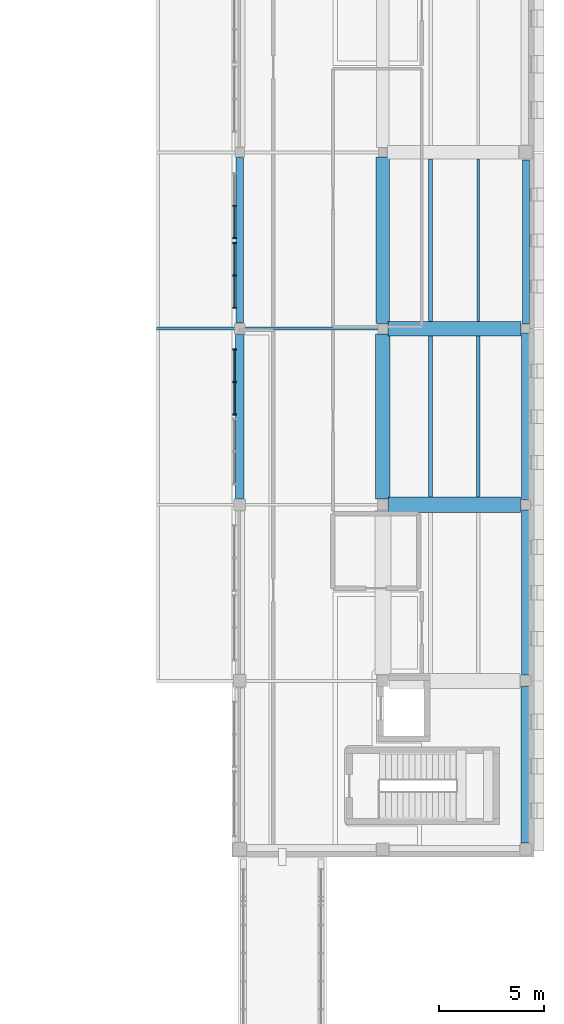
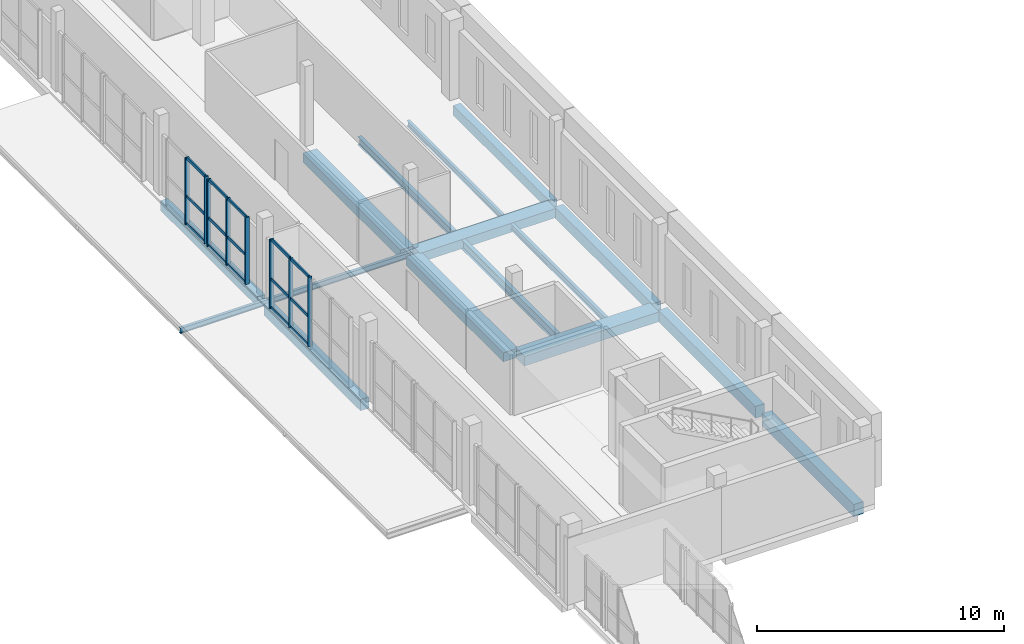
# One storey, part 34 of 76: 23 members, 15 beams, 3 elements without a shape of their own.
"""IFC4 building model written with IfcOpenShell, lengths in metres."""

import ifcopenshell
import ifcopenshell.guid

model = None  # the IFC model being written
_history = None  # IfcOwnerHistory: only IFC2X3 demands one
_inside = {}  # id of a spatial element -> (the spatial element, [elements in it])
_under = {}  # id of a project, library or spatial element -> (it, [spatial elements below it])
_declared = {}  # id of a project -> (the project, [libraries it declares])
_typed = {}  # id of a type object -> (the type object, [elements of that type])
_made_of = {}  # id of a material, layer set ... -> (it, [elements and type objects made of it])


def new_model(schema):
    """Start an empty IFC model of exactly this schema.

    Asked for "IFC4X3", IfcOpenShell would pick the latest addendum, in which some entities
    have other attributes; the version numbers below select the first issue.
    IFC2X3 requires an IfcOwnerHistory on every rooted entity: one is made here for all.
    """
    global model, _history
    if schema == "IFC4X3":
        model = ifcopenshell.file(schema_version=(4, 3, 0, 0))
    else:
        model = ifcopenshell.file(schema=schema)
    _inside.clear()
    _under.clear()
    _declared.clear()
    _typed.clear()
    _made_of.clear()
    _history = None
    if model.schema == "IFC2X3":
        org = make("IfcOrganization", Name="unknown")
        user = make(
            "IfcPersonAndOrganization",
            ThePerson=make("IfcPerson", FamilyName="unknown"),
            TheOrganization=org,
        )
        app = make(
            "IfcApplication",
            ApplicationDeveloper=org,
            Version="unknown",
            ApplicationFullName="unknown",
            ApplicationIdentifier="unknown",
        )
        _history = make(
            "IfcOwnerHistory",
            OwningUser=user,
            OwningApplication=app,
            ChangeAction="ADDED",
            CreationDate=0,
        )
    return model


def make(cls, **values):
    """One entity of the class cls with the attributes given. An attribute that is None is left unset."""
    return model.create_entity(
        cls, **{name: value for name, value in values.items() if value is not None}
    )


def rooted(cls, **values):
    """An entity with a GlobalId (a new one), such as an element, a storey or a relation."""
    return make(cls, GlobalId=ifcopenshell.guid.new(), OwnerHistory=_history, **values)


def si_unit(unit_type, name, prefix=None):
    """IfcSIUnit, for example si_unit("LENGTHUNIT", "METRE", prefix="MILLI")."""
    return make("IfcSIUnit", UnitType=unit_type, Prefix=prefix, Name=name)


def assignment(units):
    """IfcUnitAssignment: the units of a project."""
    return None if units is None else make("IfcUnitAssignment", Units=units)


def point(xyz):
    """IfcCartesianPoint."""
    return None if xyz is None else make("IfcCartesianPoint", Coordinates=xyz)


def direction(xyz):
    """IfcDirection."""
    return None if xyz is None else make("IfcDirection", DirectionRatios=xyz)


def frame(location, z_axis=None, x_axis=None):
    """IfcAxis2Placement3D, a coordinate frame: its origin and axes. An axis left out is left unset."""
    return make(
        "IfcAxis2Placement3D",
        Location=point(location),
        Axis=direction(z_axis),
        RefDirection=direction(x_axis),
    )


def frame_2d(location, x_axis=None):
    """IfcAxis2Placement2D, a coordinate frame in the plane: its origin and x axis."""
    return make(
        "IfcAxis2Placement2D", Location=point(location), RefDirection=direction(x_axis)
    )


def origin():
    """The frame at (0, 0, 0) with its axes left unset."""
    return frame((0.0, 0.0, 0.0))


def origin_2d():
    """The frame at (0, 0) in the plane with its x axis left unset."""
    return frame_2d((0.0, 0.0))


def place(relative_to, where):
    """IfcLocalPlacement: puts the frame where relative to a parent placement (None: the world)."""
    return make(
        "IfcLocalPlacement", PlacementRelTo=relative_to, RelativePlacement=where
    )


def context(
    kind, dimensions, precision=None, world=None, true_north=None, identifier=None
):
    """IfcGeometricRepresentationContext, for example the 3D "Model" context."""
    return make(
        "IfcGeometricRepresentationContext",
        ContextIdentifier=identifier,
        ContextType=kind,
        CoordinateSpaceDimension=dimensions,
        Precision=precision,
        WorldCoordinateSystem=world,
        TrueNorth=true_north,
    )


def subcontext(parent, identifier, kind, view, scale=None):
    """IfcGeometricRepresentationSubContext, for example "Body" below "Model"."""
    return make(
        "IfcGeometricRepresentationSubContext",
        ContextIdentifier=identifier,
        ContextType=kind,
        ParentContext=parent,
        TargetScale=scale,
        TargetView=view,
    )


def project(units=None, contexts=None):
    """IfcProject with its units and contexts."""
    return rooted(
        "IfcProject",
        Name="project",
        RepresentationContexts=contexts,
        UnitsInContext=assignment(units),
    )


def spatial(cls, under=None, at=None, **own):
    """A site, building, storey or space (cls), placed at a placement, below another one or the project."""
    s = rooted(cls, ObjectPlacement=at, **own)
    if under is not None:
        _under.setdefault(under.id(), (under, []))[1].append(s)
    return s


def profile(cls, at=None, kind="AREA", **sizes):
    """A parametric profile (cls). Its sizes go by their IFC names, for example OverallWidth=200.0."""
    return make(cls, ProfileType=kind, Position=at, **sizes)


def rectangle(**sizes):
    """IfcRectangleProfileDef."""
    return profile("IfcRectangleProfileDef", **sizes)


def i_section(**sizes):
    """IfcIShapeProfileDef."""
    return profile("IfcIShapeProfileDef", **sizes)


def extrude(swept, where, along, depth):
    """IfcExtrudedAreaSolid: the profile swept, set in the frame where, extruded along a direction by depth."""
    return make(
        "IfcExtrudedAreaSolid",
        SweptArea=swept,
        Position=where,
        ExtrudedDirection=direction(along),
        Depth=depth,
    )


def shape(context_of_items, identifier, shape_type, items):
    """IfcShapeRepresentation: the items that make up one representation, for example the "Body"."""
    return make(
        "IfcShapeRepresentation",
        ContextOfItems=context_of_items,
        RepresentationIdentifier=identifier,
        RepresentationType=shape_type,
        Items=items,
    )


def material(Name=None, Category=None):
    """IfcMaterial."""
    return make("IfcMaterial", Name=Name, Category=Category)


def layer(
    of_material, thickness, ventilated=None, Name=None, Category=None, Priority=None
):
    """IfcMaterialLayer: one layer of a wall or slab, of a material (None: an air gap)."""
    return make(
        "IfcMaterialLayer",
        Material=of_material,
        LayerThickness=thickness,
        IsVentilated=ventilated,
        Name=Name,
        Category=Category,
        Priority=Priority,
    )


def layer_set(layers, Name=None):
    """IfcMaterialLayerSet."""
    return make("IfcMaterialLayerSet", MaterialLayers=layers, LayerSetName=Name)


def material_profile(
    of_material, cross_section, Name=None, Category=None, Priority=None
):
    """IfcMaterialProfile: a cross section and its material."""
    return make(
        "IfcMaterialProfile",
        Name=Name,
        Material=of_material,
        Profile=cross_section,
        Priority=Priority,
        Category=Category,
    )


def profile_set(profiles, Name=None, composite=None):
    """IfcMaterialProfileSet."""
    return make(
        "IfcMaterialProfileSet",
        Name=Name,
        MaterialProfiles=profiles,
        CompositeProfile=composite,
    )


def made_of(thing, what):
    """Note that an element or type object is made of a material, layer set ...; save() writes the relation."""
    if what is not None:
        _made_of.setdefault(what.id(), (what, []))[1].append(thing)
    return thing


def type_object(cls, material=None, **own):
    """A type object (cls), such as IfcWallType, which elements share."""
    return made_of(rooted(cls, **own), material)


def element(
    cls,
    number,
    at=None,
    inside=None,
    cuts=None,
    type_object=None,
    material=None,
    context=None,
    identifier="Body",
    shape_type=None,
    held_by="IfcProductDefinitionShape",
    body=None,
    shapes=None,
    **own,
):
    """One element of the class cls, such as IfcWall. Its Tag is "e" and its number.

    at: its placement. inside: the storey or other place that contains it. cuts: it is an
    opening in that element (IfcRelVoidsElement). A single representation is given by context,
    identifier, shape_type and body (its items); several are given by shapes. held_by: the class
    of the entity that holds the representations. save() writes the other relations.
    """
    e = rooted(cls, Tag="e%d" % number, ObjectPlacement=at, **own)
    if body is not None:
        shapes = [shape(context, identifier, shape_type, body)]
    if shapes is not None:
        e.Representation = make(held_by, Representations=shapes)
    if inside is not None:
        _inside.setdefault(inside.id(), (inside, []))[1].append(e)
    if cuts is not None:
        rooted(
            "IfcRelVoidsElement", RelatingBuildingElement=cuts, RelatedOpeningElement=e
        )
    if type_object is not None:
        _typed.setdefault(type_object.id(), (type_object, []))[1].append(e)
    return made_of(e, material)


def aggregate(whole, parts):
    """IfcRelAggregates: a whole, such as a stair, and the parts it consists of."""
    return rooted("IfcRelAggregates", RelatingObject=whole, RelatedObjects=parts)


def save(model, path):
    """Write the relations noted so far, then the file.

    IfcRelAggregates (storeys below a building ...), IfcRelContainedInSpatialStructure (elements
    in a storey), IfcRelDefinesByType, IfcRelAssociatesMaterial and IfcRelDeclares: one each for
    every whole, place, type object, material and project.
    """
    for whole, parts in _under.values():
        aggregate(whole, parts)
    for where, things in _inside.values():
        rooted(
            "IfcRelContainedInSpatialStructure",
            RelatedElements=things,
            RelatingStructure=where,
        )
    for kind, things in _typed.values():
        rooted("IfcRelDefinesByType", RelatedObjects=things, RelatingType=kind)
    for what, things in _made_of.values():
        rooted("IfcRelAssociatesMaterial", RelatedObjects=things, RelatingMaterial=what)
    for by, libraries in _declared.values():
        rooted("IfcRelDeclares", RelatingContext=by, RelatedDefinitions=libraries)
    model.write(path)


model = new_model("IFC4")

# Units and contexts
model_context = context("Model", 3, precision=1e-05, world=origin(), true_north=direction((0.0, 1.0)))
body_context = subcontext(model_context, "Body", "Model", "MODEL_VIEW")
ifc_project = project(units=[si_unit("LENGTHUNIT", "METRE"), si_unit("AREAUNIT", "SQUARE_METRE"), si_unit("VOLUMEUNIT", "CUBIC_METRE"), si_unit("PLANEANGLEUNIT", "RADIAN"), si_unit("MASSUNIT", "GRAM", prefix="KILO")], contexts=[model_context])

# Site, building, storey
site_placement = place(None, origin())
site = spatial("IfcSite", under=ifc_project, at=site_placement, CompositionType="ELEMENT")
building_placement = place(site_placement, origin())
building = spatial("IfcBuilding", under=site, at=building_placement, Name="Vardoun Plaza Health Centre", CompositionType="ELEMENT")
storey_placement = place(building_placement, frame((0.0, 0.0, 4.5)))
storey = spatial("IfcBuildingStorey", under=building, at=storey_placement, Name="L01", CompositionType="ELEMENT", Elevation=4.5)

# Beams
ifc_material_1 = material(Name="Concrete C35/45", Category="concrete")
ifc_material_profile_1 = material_profile(ifc_material_1, rectangle(XDim=0.35009765625, YDim=0.5, at=origin_2d()), Name="RC-BM 350x500")
ifc_profile_set_1 = profile_set([ifc_material_profile_1], Name="Concrete C35/45")
beam_type_1 = type_object("IfcBeamType", Name="B-08", PredefinedType="SPANDREL", material=ifc_profile_set_1)
beam_1_placement = place(storey_placement, frame((151.280029296875, 61.775146484375, -0.5), z_axis=(0.0, 1.0, 0.0), x_axis=(-1.0, 0.0, 0.0)))
element("IfcBeam", 1, at=beam_1_placement, inside=storey, type_object=beam_type_1, Name="V6 L01 Beam B-V6-L01-Y13", PredefinedType="SPANDREL", context=body_context, shape_type="SweptSolid", body=[
    extrude(rectangle(XDim=0.35009765625, YDim=0.5, at=origin_2d()), origin(), (0.0, 0.0, 1.0), 7.875),
])
beam_2_placement = place(storey_placement, frame((164.919921875, 61.72509765625, -0.5), z_axis=(0.0, 1.0, 0.0), x_axis=(-1.0, 0.0, 0.0)))
element("IfcBeam", 2, at=beam_2_placement, inside=storey, type_object=beam_type_1, Name="V6 L01 Beam B-V6-L01-Y23", PredefinedType="SPANDREL", context=body_context, shape_type="SweptSolid", body=[
    extrude(rectangle(XDim=0.35009765625, YDim=0.5, at=origin_2d()), origin(), (0.0, 0.0, 1.0), 7.824951171875),
])
ifc_material_2 = material(Name="Concrete C35/45", Category="concrete")
ifc_material_profile_2 = material_profile(ifc_material_2, rectangle(XDim=0.39990234375, YDim=0.550048828125, at=origin_2d()), Name="RC-BM 400x550")
ifc_profile_set_2 = profile_set([ifc_material_profile_2], Name="Concrete C35/45")
beam_type_2 = type_object("IfcBeamType", Name="B-09", PredefinedType="SPANDREL", material=ifc_profile_set_2)
beam_3_placement = place(storey_placement, frame((151.280029296875, 53.400146484375, -0.52490234375), z_axis=(0.0, 1.0, 0.0), x_axis=(-1.0, 0.0, 0.0)))
element("IfcBeam", 3, at=beam_3_placement, inside=storey, type_object=beam_type_2, Name="V6 L01 Beam B-V6-L01-Y12", PredefinedType="SPANDREL", context=body_context, shape_type="SweptSolid", body=[
    extrude(rectangle(XDim=0.39990234375, YDim=0.550048828125, at=origin_2d()), origin(), (0.0, 0.0, 1.0), 7.824951171875),
])
beam_4_placement = place(storey_placement, frame((164.919921875, 53.35009765625, -0.52490234375), z_axis=(0.0, 1.0, 0.0), x_axis=(-1.0, 0.0, 0.0)))
element("IfcBeam", 4, at=beam_4_placement, inside=storey, type_object=beam_type_2, Name="V6 L01 Beam B-V6-L01-Y22", PredefinedType="SPANDREL", context=body_context, shape_type="SweptSolid", body=[
    extrude(rectangle(XDim=0.39990234375, YDim=0.550048828125, at=origin_2d()), origin(), (0.0, 0.0, 1.0), 7.925048828125),
])
ifc_material_3 = material(Name="Concrete C35/45", Category="concrete")
ifc_material_profile_3 = material_profile(ifc_material_3, rectangle(XDim=0.419921875, YDim=0.580078125, at=origin_2d()), Name="RC-BM 420x580")
ifc_profile_set_3 = profile_set([ifc_material_profile_3], Name="Concrete C35/45")
beam_type_3 = type_object("IfcBeamType", Name="B-10", PredefinedType="SPANDREL", material=ifc_profile_set_3)
beam_5_placement = place(storey_placement, frame((164.919921875, 44.97509765625, -0.5400390625), z_axis=(0.0, 1.0, 0.0), x_axis=(-1.0, 0.0, 0.0)))
element("IfcBeam", 5, at=beam_5_placement, inside=storey, type_object=beam_type_3, Name="V6 L01 Beam B-V6-L01-Y21", PredefinedType="SPANDREL", context=body_context, shape_type="SweptSolid", body=[
    extrude(rectangle(XDim=0.419921875, YDim=0.580078125, at=origin_2d()), origin(), (0.0, 0.0, 1.0), 7.875),
])
ifc_material_4 = material(Name="Concrete C35/45", Category="concrete")
ifc_material_profile_4 = material_profile(ifc_material_4, rectangle(XDim=0.449951171875, YDim=0.60009765625, at=origin_2d()), Name="RC-BM 450x600")
ifc_profile_set_4 = profile_set([ifc_material_profile_4], Name="Concrete C35/45")
beam_type_4 = type_object("IfcBeamType", Name="B-11", PredefinedType="SPANDREL", material=ifc_profile_set_4)
beam_6_placement = place(storey_placement, frame((164.919921875, 36.97998046875, -0.550048828125), z_axis=(0.0, 1.0, 0.0), x_axis=(-1.0, 0.0, 0.0)))
element("IfcBeam", 6, at=beam_6_placement, inside=storey, type_object=beam_type_4, Name="V6 L01 Beam B-V6-L01-Y20", PredefinedType="SPANDREL", context=body_context, shape_type="SweptSolid", body=[
    extrude(rectangle(XDim=0.449951171875, YDim=0.60009765625, at=origin_2d()), origin(), (0.0, 0.0, 1.0), 7.445068359375),
])
ifc_material_5 = material(Name="Concrete C35/45", Category="concrete")
ifc_material_profile_5 = material_profile(ifc_material_5, rectangle(XDim=0.64990234375, YDim=0.449951171875, at=origin_2d()), Name="RC-BM 650x450")
ifc_profile_set_5 = profile_set([ifc_material_profile_5], Name="Concrete C35/45")
beam_type_5 = type_object("IfcBeamType", Name="B-05", PredefinedType="BEAM", material=ifc_profile_set_5)
beam_7_placement = place(storey_placement, frame((158.10009765625, 61.75, -0.47509765625), z_axis=(0.0, 1.0, 0.0), x_axis=(-1.0, 0.0, 0.0)))
element("IfcBeam", 7, at=beam_7_placement, inside=storey, type_object=beam_type_5, Name="V6 L01 Beam B-V6-L01-Y18", PredefinedType="BEAM", context=body_context, shape_type="SweptSolid", body=[
    extrude(rectangle(XDim=0.64990234375, YDim=0.449951171875, at=origin_2d()), origin(), (0.0, 0.0, 1.0), 7.925048828125),
])
ifc_material_6 = material(Name="Concrete C35/45", Category="concrete")
ifc_material_profile_6 = material_profile(ifc_material_6, rectangle(XDim=0.699951171875, YDim=0.449951171875, at=origin_2d()), Name="RC-BM 700x450")
ifc_profile_set_6 = profile_set([ifc_material_profile_6], Name="Concrete C35/45")
beam_type_6 = type_object("IfcBeamType", Name="B-06", PredefinedType="BEAM", material=ifc_profile_set_6)
beam_8_placement = place(storey_placement, frame((158.35009765625, 61.5, -0.47509765625), z_axis=(1.0, 0.0, 0.0), x_axis=(0.0, 1.0, 0.0)))
element("IfcBeam", 8, at=beam_8_placement, inside=storey, type_object=beam_type_6, Name="V6 L01 Beam B-V6-L01-X06", PredefinedType="BEAM", context=body_context, shape_type="SweptSolid", body=[
    extrude(rectangle(XDim=0.699951171875, YDim=0.449951171875, at=origin_2d()), origin(), (0.0, 0.0, 1.0), 6.344970703125),
])
beam_9_placement = place(storey_placement, frame((158.10009765625, 53.375, -0.47509765625), z_axis=(0.0, 1.0, 0.0), x_axis=(-1.0, 0.0, 0.0)))
element("IfcBeam", 9, at=beam_9_placement, inside=storey, type_object=beam_type_6, Name="V6 L01 Beam B-V6-L01-Y17", PredefinedType="BEAM", context=body_context, shape_type="SweptSolid", body=[
    extrude(rectangle(XDim=0.699951171875, YDim=0.449951171875, at=origin_2d()), origin(), (0.0, 0.0, 1.0), 7.875),
])
ifc_material_7 = material(Name="Concrete C35/45", Category="concrete")
ifc_material_profile_7 = material_profile(ifc_material_7, rectangle(XDim=0.75, YDim=0.47998046875, at=origin_2d()), Name="RC-BM 750x480")
ifc_profile_set_7 = profile_set([ifc_material_profile_7], Name="Concrete C35/45")
beam_type_7 = type_object("IfcBeamType", Name="B-07", PredefinedType="BEAM", material=ifc_profile_set_7)
beam_10_placement = place(storey_placement, frame((158.375, 53.10009765625, -0.489990234375), z_axis=(1.0, 0.0, 0.0), x_axis=(0.0, 1.0, 0.0)))
element("IfcBeam", 10, at=beam_10_placement, inside=storey, type_object=beam_type_7, Name="V6 L01 Beam B-V6-L01-X05", PredefinedType="BEAM", context=body_context, shape_type="SweptSolid", body=[
    extrude(rectangle(XDim=0.75, YDim=0.47998046875, at=origin_2d()), origin(), (0.0, 0.0, 1.0), 6.294921875),
])
ifc_material_8 = material(Name="Steel S355J2", Category="steel")
ifc_material_profile_8 = material_profile(ifc_material_8, i_section(OverallWidth=0.135009765625, OverallDepth=0.27001953125, WebThickness=0.006591796875, FlangeThickness=0.01025390625, FilletRadius=0.014892578125, at=origin_2d()), Name="IPE 270")
ifc_profile_set_8 = profile_set([ifc_material_profile_8], Name="Steel S355J2")
beam_type_8 = type_object("IfcBeamType", Name="SB-16", PredefinedType="JOIST", material=ifc_profile_set_8)
beam_11_placement = place(storey_placement, frame((162.64697265625, 61.85009765625, -0.385009765625), z_axis=(0.0, 1.0, 0.0), x_axis=(-1.0, 0.0, 0.0)))
element("IfcBeam", 11, at=beam_11_placement, inside=storey, type_object=beam_type_8, Name="V6 L01 Secondary Floor Beam SJ-V6-L01-07", PredefinedType="JOIST", context=body_context, shape_type="SweptSolid", body=[
    extrude(i_section(OverallWidth=0.135009765625, OverallDepth=0.27001953125, WebThickness=0.006591796875, FlangeThickness=0.01025390625, FilletRadius=0.014892578125, at=origin_2d()), origin(), (0.0, 0.0, 1.0), 7.724853515625),
])
beam_12_placement = place(storey_placement, frame((158.10009765625, 61.5, -0.39990234375), z_axis=(-1.0, 0.0, 0.0), x_axis=(0.0, -1.0, 0.0)))
element("IfcBeam", 12, at=beam_12_placement, inside=storey, type_object=beam_type_8, Name="Forecourt Canopy Continuous Girder 3", PredefinedType="JOIST", context=body_context, shape_type="SweptSolid", body=[
    extrude(i_section(OverallWidth=0.135009765625, OverallDepth=0.27001953125, WebThickness=0.006591796875, FlangeThickness=0.01025390625, FilletRadius=0.014892578125, at=origin_2d()), origin(), (0.0, 0.0, 1.0), 10.800048828125),
])
ifc_material_9 = material(Name="Steel S355J2", Category="steel")
ifc_material_profile_9 = material_profile(ifc_material_9, i_section(OverallWidth=0.14990234375, OverallDepth=0.300048828125, WebThickness=0.007080078125, FlangeThickness=0.0107421875, FilletRadius=0.014892578125, at=origin_2d()), Name="IPE 300")
ifc_profile_set_9 = profile_set([ifc_material_profile_9], Name="Steel S355J2")
beam_type_9 = type_object("IfcBeamType", Name="SB-15", PredefinedType="JOIST", material=ifc_profile_set_9)
beam_13_placement = place(storey_placement, frame((162.64697265625, 53.47509765625, -0.39990234375), z_axis=(0.0, 1.0, 0.0), x_axis=(-1.0, 0.0, 0.0)))
element("IfcBeam", 13, at=beam_13_placement, inside=storey, type_object=beam_type_9, Name="V6 L01 Secondary Floor Beam SJ-V6-L01-06", PredefinedType="JOIST", context=body_context, shape_type="SweptSolid", body=[
    extrude(i_section(OverallWidth=0.14990234375, OverallDepth=0.300048828125, WebThickness=0.007080078125, FlangeThickness=0.0107421875, FilletRadius=0.014892578125, at=origin_2d()), origin(), (0.0, 0.0, 1.0), 7.675048828125),
])
ifc_material_10 = material(Name="Steel S355J2", Category="steel")
ifc_material_profile_10 = material_profile(ifc_material_10, i_section(OverallWidth=0.179931640625, OverallDepth=0.39990234375, WebThickness=0.008544921875, FlangeThickness=0.013427734375, FilletRadius=0.02099609375, at=origin_2d()), Name="IPE 400")
ifc_profile_set_10 = profile_set([ifc_material_profile_10], Name="Steel S355J2")
beam_type_10 = type_object("IfcBeamType", Name="SB-12", PredefinedType="BEAM", material=ifc_profile_set_10)
beam_14_placement = place(storey_placement, frame((160.373046875, 61.85009765625, -0.449951171875), z_axis=(0.0, 1.0, 0.0), x_axis=(-1.0, 0.0, 0.0)))
element("IfcBeam", 14, at=beam_14_placement, inside=storey, type_object=beam_type_10, Name="V6 L01 Secondary Floor Beam SJ-V6-L01-03", PredefinedType="BEAM", context=body_context, shape_type="SweptSolid", body=[
    extrude(i_section(OverallWidth=0.179931640625, OverallDepth=0.39990234375, WebThickness=0.008544921875, FlangeThickness=0.013427734375, FilletRadius=0.02099609375, at=origin_2d()), origin(), (0.0, 0.0, 1.0), 7.724853515625),
])
ifc_material_11 = material(Name="Steel S355J2", Category="steel")
ifc_material_profile_11 = material_profile(ifc_material_11, i_section(OverallWidth=0.18994140625, OverallDepth=0.449951171875, WebThickness=0.009521484375, FlangeThickness=0.0146484375, FilletRadius=0.02099609375, at=origin_2d()), Name="IPE 450")
ifc_profile_set_11 = profile_set([ifc_material_profile_11], Name="Steel S355J2")
beam_type_11 = type_object("IfcBeamType", Name="SB-11", PredefinedType="BEAM", material=ifc_profile_set_11)
beam_15_placement = place(storey_placement, frame((160.373046875, 53.47509765625, -0.47509765625), z_axis=(0.0, 1.0, 0.0), x_axis=(-1.0, 0.0, 0.0)))
element("IfcBeam", 15, at=beam_15_placement, inside=storey, type_object=beam_type_11, Name="V6 L01 Secondary Floor Beam SJ-V6-L01-02", PredefinedType="BEAM", context=body_context, shape_type="SweptSolid", body=[
    extrude(i_section(OverallWidth=0.18994140625, OverallDepth=0.449951171875, WebThickness=0.009521484375, FlangeThickness=0.0146484375, FilletRadius=0.02099609375, at=origin_2d()), origin(), (0.0, 0.0, 1.0), 7.675048828125),
])

# Curtain wall, members
ifc_material_12 = material(Name="Aluminium Alloy EN AW-6063-T6 and Low-E Glass", Category="aluminium")
ifc_layer = layer(ifc_material_12, 0.179931640625)
ifc_layer_set = layer_set([ifc_layer], Name="Aluminium Alloy EN AW-6063-T6 and Low-E Glass")
curtain_wall_type = type_object("IfcCurtainWallType", Name="CW-01", PredefinedType="USERDEFINED", material=ifc_layer_set)
curtain_wall_1_placement = place(storey_placement, origin())
curtain_wall_1 = element("IfcCurtainWall", 16, at=curtain_wall_1_placement, inside=storey, type_object=curtain_wall_type, Name="Curtain Wall CW-V6-208", ObjectType="CONCOURSE_CURTAIN_WALL", PredefinedType="USERDEFINED")
ifc_material_13 = material(Name="Aluminium Alloy EN AW-6063-T6", Category="aluminium")
ifc_material_profile_12 = material_profile(ifc_material_13, rectangle(XDim=0.179931640625, YDim=0.06494140625, at=origin_2d()), Name="CWM 65x180")
ifc_profile_set_12 = profile_set([ifc_material_profile_12], Name="Aluminium Alloy EN AW-6063-T6")
member_type_1 = type_object("IfcMemberType", Name="CW-M2", PredefinedType="MULLION", material=ifc_profile_set_12)
member_1_placement = place(storey_placement, frame((151.02001953125, 57.41259765625, 0.0), z_axis=(0.0, 0.0, 1.0), x_axis=(-1.0, 0.0, 0.0)))
member_1 = element("IfcMember", 17, at=member_1_placement, type_object=member_type_1, Name="CW-V6-208 mullion 1", PredefinedType="MULLION", context=body_context, shape_type="SweptSolid", body=[
    extrude(rectangle(XDim=0.179931640625, YDim=0.06494140625, at=origin_2d()), origin(), (0.0, 0.0, 1.0), 3.43505859375),
])
member_2_placement = place(storey_placement, frame((151.02001953125, 58.9599609375, 0.0), z_axis=(0.0, 0.0, 1.0), x_axis=(-1.0, 0.0, 0.0)))
member_2 = element("IfcMember", 18, at=member_2_placement, type_object=member_type_1, Name="CW-V6-208 mullion 2", PredefinedType="MULLION", context=body_context, shape_type="SweptSolid", body=[
    extrude(rectangle(XDim=0.179931640625, YDim=0.06494140625, at=origin_2d()), origin(), (0.0, 0.0, 1.0), 3.43505859375),
])
member_3_placement = place(storey_placement, frame((151.02001953125, 60.507568359375, 0.0), z_axis=(0.0, 0.0, 1.0), x_axis=(-1.0, 0.0, 0.0)))
member_3 = element("IfcMember", 19, at=member_3_placement, type_object=member_type_1, Name="CW-V6-208 mullion 3", PredefinedType="MULLION", context=body_context, shape_type="SweptSolid", body=[
    extrude(rectangle(XDim=0.179931640625, YDim=0.06494140625, at=origin_2d()), origin(), (0.0, 0.0, 1.0), 3.43505859375),
])

curtain_wall_2_placement = place(storey_placement, origin())
curtain_wall_2 = element("IfcCurtainWall", 20, at=curtain_wall_2_placement, inside=storey, type_object=curtain_wall_type, Name="Curtain Wall CW-V6-209", ObjectType="CONCOURSE_CURTAIN_WALL", PredefinedType="USERDEFINED")
member_4_placement = place(storey_placement, frame((151.02001953125, 62.492431640625, 0.0), z_axis=(0.0, 0.0, 1.0), x_axis=(-1.0, 0.0, 0.0)))
member_4 = element("IfcMember", 21, at=member_4_placement, type_object=member_type_1, Name="CW-V6-209 mullion 1", PredefinedType="MULLION", context=body_context, shape_type="SweptSolid", body=[
    extrude(rectangle(XDim=0.179931640625, YDim=0.06494140625, at=origin_2d()), origin(), (0.0, 0.0, 1.0), 3.31494140625),
])
member_5_placement = place(storey_placement, frame((151.02001953125, 64.0400390625, 0.0), z_axis=(0.0, 0.0, 1.0), x_axis=(-1.0, 0.0, 0.0)))
member_5 = element("IfcMember", 22, at=member_5_placement, type_object=member_type_1, Name="CW-V6-209 mullion 2", PredefinedType="MULLION", context=body_context, shape_type="SweptSolid", body=[
    extrude(rectangle(XDim=0.179931640625, YDim=0.06494140625, at=origin_2d()), origin(), (0.0, 0.0, 1.0), 3.31494140625),
])
member_6_placement = place(storey_placement, frame((151.02001953125, 65.587646484375, 0.0), z_axis=(0.0, 0.0, 1.0), x_axis=(-1.0, 0.0, 0.0)))
member_6 = element("IfcMember", 23, at=member_6_placement, type_object=member_type_1, Name="CW-V6-209 mullion 3", PredefinedType="MULLION", context=body_context, shape_type="SweptSolid", body=[
    extrude(rectangle(XDim=0.179931640625, YDim=0.06494140625, at=origin_2d()), origin(), (0.0, 0.0, 1.0), 3.31494140625),
])

curtain_wall_3_placement = place(storey_placement, origin())
curtain_wall_3 = element("IfcCurtainWall", 24, at=curtain_wall_3_placement, inside=storey, type_object=curtain_wall_type, Name="Curtain Wall CW-V6-210", ObjectType="CONCOURSE_CURTAIN_WALL", PredefinedType="USERDEFINED")
member_7_placement = place(storey_placement, frame((151.02001953125, 65.8125, 0.0), z_axis=(0.0, 0.0, 1.0), x_axis=(-1.0, 0.0, 0.0)))
member_7 = element("IfcMember", 25, at=member_7_placement, type_object=member_type_1, Name="CW-V6-210 mullion 1", PredefinedType="MULLION", context=body_context, shape_type="SweptSolid", body=[
    extrude(rectangle(XDim=0.179931640625, YDim=0.06494140625, at=origin_2d()), origin(), (0.0, 0.0, 1.0), 3.31494140625),
])
member_8_placement = place(storey_placement, frame((151.02001953125, 67.360107421875, 0.0), z_axis=(0.0, 0.0, 1.0), x_axis=(-1.0, 0.0, 0.0)))
member_8 = element("IfcMember", 26, at=member_8_placement, type_object=member_type_1, Name="CW-V6-210 mullion 2", PredefinedType="MULLION", context=body_context, shape_type="SweptSolid", body=[
    extrude(rectangle(XDim=0.179931640625, YDim=0.06494140625, at=origin_2d()), origin(), (0.0, 0.0, 1.0), 3.31494140625),
])

# Member
ifc_material_14 = material(Name="Aluminium Alloy EN AW-6063-T6", Category="aluminium")
ifc_material_profile_13 = material_profile(ifc_material_14, rectangle(XDim=0.06494140625, YDim=0.139892578125, at=origin_2d()), Name="CWT 65x140")
ifc_profile_set_13 = profile_set([ifc_material_profile_13], Name="Aluminium Alloy EN AW-6063-T6")
member_type_2 = type_object("IfcMemberType", Name="CW-T2", PredefinedType="USERDEFINED", material=ifc_profile_set_13)
member_9_placement = place(storey_placement, frame((151.02001953125, 57.445068359375, 0.032470703125), z_axis=(0.0, 1.0, 0.0), x_axis=(-1.0, 0.0, 0.0)))
member_9 = element("IfcMember", 27, at=member_9_placement, type_object=member_type_2, Name="CW-V6-208 transom 1.1", ObjectType="TRANSOM", PredefinedType="USERDEFINED", context=body_context, shape_type="SweptSolid", body=[
    extrude(rectangle(XDim=0.06494140625, YDim=0.139892578125, at=origin_2d()), origin(), (0.0, 0.0, 1.0), 1.482421875),
])

member_10_placement = place(storey_placement, frame((151.02001953125, 57.445068359375, 1.442626953125), z_axis=(0.0, 1.0, 0.0), x_axis=(-1.0, 0.0, 0.0)))
member_10 = element("IfcMember", 28, at=member_10_placement, type_object=member_type_2, Name="CW-V6-208 transom 1.2", ObjectType="TRANSOM", PredefinedType="USERDEFINED", context=body_context, shape_type="SweptSolid", body=[
    extrude(rectangle(XDim=0.06494140625, YDim=0.139892578125, at=origin_2d()), origin(), (0.0, 0.0, 1.0), 1.482421875),
])

member_11_placement = place(storey_placement, frame((151.02001953125, 57.445068359375, 3.402587890625), z_axis=(0.0, 1.0, 0.0), x_axis=(-1.0, 0.0, 0.0)))
member_11 = element("IfcMember", 29, at=member_11_placement, type_object=member_type_2, Name="CW-V6-208 transom 1.3", ObjectType="TRANSOM", PredefinedType="USERDEFINED", context=body_context, shape_type="SweptSolid", body=[
    extrude(rectangle(XDim=0.06494140625, YDim=0.139892578125, at=origin_2d()), origin(), (0.0, 0.0, 1.0), 1.482421875),
])

member_12_placement = place(storey_placement, frame((151.02001953125, 58.992431640625, 0.032470703125), z_axis=(0.0, 1.0, 0.0), x_axis=(-1.0, 0.0, 0.0)))
member_12 = element("IfcMember", 30, at=member_12_placement, type_object=member_type_2, Name="CW-V6-208 transom 2.1", ObjectType="TRANSOM", PredefinedType="USERDEFINED", context=body_context, shape_type="SweptSolid", body=[
    extrude(rectangle(XDim=0.06494140625, YDim=0.139892578125, at=origin_2d()), origin(), (0.0, 0.0, 1.0), 1.482666015625),
])

member_13_placement = place(storey_placement, frame((151.02001953125, 58.992431640625, 1.442626953125), z_axis=(0.0, 1.0, 0.0), x_axis=(-1.0, 0.0, 0.0)))
member_13 = element("IfcMember", 31, at=member_13_placement, type_object=member_type_2, Name="CW-V6-208 transom 2.2", ObjectType="TRANSOM", PredefinedType="USERDEFINED", context=body_context, shape_type="SweptSolid", body=[
    extrude(rectangle(XDim=0.06494140625, YDim=0.139892578125, at=origin_2d()), origin(), (0.0, 0.0, 1.0), 1.482666015625),
])

member_14_placement = place(storey_placement, frame((151.02001953125, 58.992431640625, 3.402587890625), z_axis=(0.0, 1.0, 0.0), x_axis=(-1.0, 0.0, 0.0)))
member_14 = element("IfcMember", 32, at=member_14_placement, type_object=member_type_2, Name="CW-V6-208 transom 2.3", ObjectType="TRANSOM", PredefinedType="USERDEFINED", context=body_context, shape_type="SweptSolid", body=[
    extrude(rectangle(XDim=0.06494140625, YDim=0.139892578125, at=origin_2d()), origin(), (0.0, 0.0, 1.0), 1.482666015625),
])

aggregate(curtain_wall_1, [member_1, member_2, member_3, member_9, member_10, member_11, member_12, member_13, member_14])

member_15_placement = place(storey_placement, frame((151.02001953125, 62.525146484375, 0.032470703125), z_axis=(0.0, 1.0, 0.0), x_axis=(-1.0, 0.0, 0.0)))
member_15 = element("IfcMember", 33, at=member_15_placement, type_object=member_type_2, Name="CW-V6-209 transom 1.1", ObjectType="TRANSOM", PredefinedType="USERDEFINED", context=body_context, shape_type="SweptSolid", body=[
    extrude(rectangle(XDim=0.06494140625, YDim=0.139892578125, at=origin_2d()), origin(), (0.0, 0.0, 1.0), 1.482421875),
])

member_16_placement = place(storey_placement, frame((151.02001953125, 62.525146484375, 1.392333984375), z_axis=(0.0, 1.0, 0.0), x_axis=(-1.0, 0.0, 0.0)))
member_16 = element("IfcMember", 34, at=member_16_placement, type_object=member_type_2, Name="CW-V6-209 transom 1.2", ObjectType="TRANSOM", PredefinedType="USERDEFINED", context=body_context, shape_type="SweptSolid", body=[
    extrude(rectangle(XDim=0.06494140625, YDim=0.139892578125, at=origin_2d()), origin(), (0.0, 0.0, 1.0), 1.482421875),
])

member_17_placement = place(storey_placement, frame((151.02001953125, 62.525146484375, 3.282470703125), z_axis=(0.0, 1.0, 0.0), x_axis=(-1.0, 0.0, 0.0)))
member_17 = element("IfcMember", 35, at=member_17_placement, type_object=member_type_2, Name="CW-V6-209 transom 1.3", ObjectType="TRANSOM", PredefinedType="USERDEFINED", context=body_context, shape_type="SweptSolid", body=[
    extrude(rectangle(XDim=0.06494140625, YDim=0.139892578125, at=origin_2d()), origin(), (0.0, 0.0, 1.0), 1.482421875),
])

member_18_placement = place(storey_placement, frame((151.02001953125, 64.072509765625, 0.032470703125), z_axis=(0.0, 1.0, 0.0), x_axis=(-1.0, 0.0, 0.0)))
member_18 = element("IfcMember", 36, at=member_18_placement, type_object=member_type_2, Name="CW-V6-209 transom 2.1", ObjectType="TRANSOM", PredefinedType="USERDEFINED", context=body_context, shape_type="SweptSolid", body=[
    extrude(rectangle(XDim=0.06494140625, YDim=0.139892578125, at=origin_2d()), origin(), (0.0, 0.0, 1.0), 1.482421875),
])

member_19_placement = place(storey_placement, frame((151.02001953125, 64.072509765625, 1.392333984375), z_axis=(0.0, 1.0, 0.0), x_axis=(-1.0, 0.0, 0.0)))
member_19 = element("IfcMember", 37, at=member_19_placement, type_object=member_type_2, Name="CW-V6-209 transom 2.2", ObjectType="TRANSOM", PredefinedType="USERDEFINED", context=body_context, shape_type="SweptSolid", body=[
    extrude(rectangle(XDim=0.06494140625, YDim=0.139892578125, at=origin_2d()), origin(), (0.0, 0.0, 1.0), 1.482421875),
])

member_20_placement = place(storey_placement, frame((151.02001953125, 64.072509765625, 3.282470703125), z_axis=(0.0, 1.0, 0.0), x_axis=(-1.0, 0.0, 0.0)))
member_20 = element("IfcMember", 38, at=member_20_placement, type_object=member_type_2, Name="CW-V6-209 transom 2.3", ObjectType="TRANSOM", PredefinedType="USERDEFINED", context=body_context, shape_type="SweptSolid", body=[
    extrude(rectangle(XDim=0.06494140625, YDim=0.139892578125, at=origin_2d()), origin(), (0.0, 0.0, 1.0), 1.482421875),
])

aggregate(curtain_wall_2, [member_4, member_5, member_6, member_15, member_16, member_17, member_18, member_19, member_20])

member_21_placement = place(storey_placement, frame((151.02001953125, 65.844970703125, 0.032470703125), z_axis=(0.0, 1.0, 0.0), x_axis=(-1.0, 0.0, 0.0)))
member_21 = element("IfcMember", 39, at=member_21_placement, type_object=member_type_2, Name="CW-V6-210 transom 1.1", ObjectType="TRANSOM", PredefinedType="USERDEFINED", context=body_context, shape_type="SweptSolid", body=[
    extrude(rectangle(XDim=0.06494140625, YDim=0.139892578125, at=origin_2d()), origin(), (0.0, 0.0, 1.0), 1.482421875),
])

member_22_placement = place(storey_placement, frame((151.02001953125, 65.844970703125, 1.392333984375), z_axis=(0.0, 1.0, 0.0), x_axis=(-1.0, 0.0, 0.0)))
member_22 = element("IfcMember", 40, at=member_22_placement, type_object=member_type_2, Name="CW-V6-210 transom 1.2", ObjectType="TRANSOM", PredefinedType="USERDEFINED", context=body_context, shape_type="SweptSolid", body=[
    extrude(rectangle(XDim=0.06494140625, YDim=0.139892578125, at=origin_2d()), origin(), (0.0, 0.0, 1.0), 1.482421875),
])

member_23_placement = place(storey_placement, frame((151.02001953125, 65.844970703125, 3.282470703125), z_axis=(0.0, 1.0, 0.0), x_axis=(-1.0, 0.0, 0.0)))
member_23 = element("IfcMember", 41, at=member_23_placement, type_object=member_type_2, Name="CW-V6-210 transom 1.3", ObjectType="TRANSOM", PredefinedType="USERDEFINED", context=body_context, shape_type="SweptSolid", body=[
    extrude(rectangle(XDim=0.06494140625, YDim=0.139892578125, at=origin_2d()), origin(), (0.0, 0.0, 1.0), 1.482421875),
])

aggregate(curtain_wall_3, [member_7, member_8, member_21, member_22, member_23])

save(model, "model.ifc")
